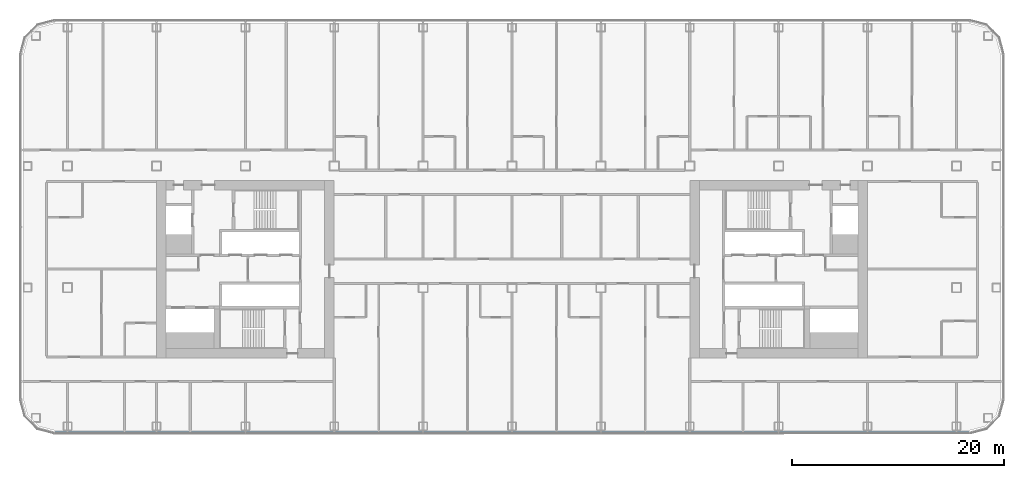
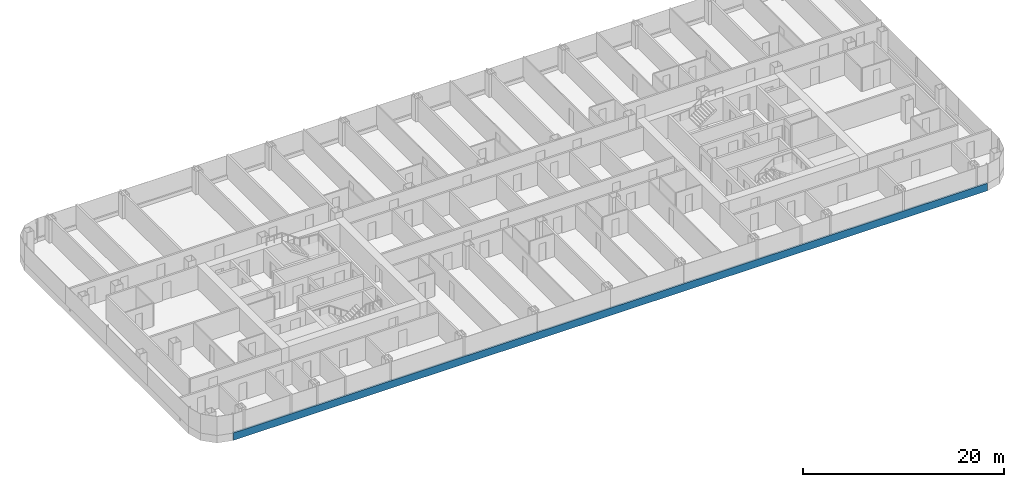
# One storey, part 5 of 29: 1 member, 1 element without a shape of its own.
"""IFC4 building model written with IfcOpenShell, lengths in metres."""

from ifc_helpers import new_model, si_unit, direction, frame, origin, origin_2d, place, context, subcontext, project, spatial, rectangle, extrude, material, layer, layer_set, material_profile, profile_set, type_object, element, aggregate, save


model = new_model("IFC4")

# Units and contexts
model_context = context("Model", 3, precision=1e-05, world=origin(), true_north=direction((0.0, 1.0)))
body_context = subcontext(model_context, "Body", "Model", "MODEL_VIEW")
ifc_project = project(units=[si_unit("LENGTHUNIT", "METRE"), si_unit("AREAUNIT", "SQUARE_METRE"), si_unit("VOLUMEUNIT", "CUBIC_METRE"), si_unit("PLANEANGLEUNIT", "RADIAN"), si_unit("MASSUNIT", "GRAM", prefix="KILO")], contexts=[model_context])

# Site, building, storey
site_placement = place(None, origin())
site = spatial("IfcSite", under=ifc_project, at=site_placement, CompositionType="ELEMENT")
building_placement = place(site_placement, origin())
building = spatial("IfcBuilding", under=site, at=building_placement, Name="Hakoniwa Tower and Hamabe Station Hall", CompositionType="ELEMENT")
storey_placement = place(building_placement, frame((0.0, 0.0, 104.199951171875)))
storey = spatial("IfcBuildingStorey", under=building, at=storey_placement, Name="L29", CompositionType="ELEMENT", Elevation=104.199951171875)

# Curtain wall, member
ifc_material_1 = material(Name="Dark low-e laminated glass", Category="glass")
ifc_layer = layer(ifc_material_1, 0.199951171875)
ifc_layer_set = layer_set([ifc_layer], Name="CW-1 UNITISED GUEST")
curtain_wall_type = type_object("IfcCurtainWallType", Name="CW-1 UNITISED GUEST", PredefinedType="NOTDEFINED", material=ifc_layer_set)
curtain_wall_placement = place(storey_placement, origin())
curtain_wall = element("IfcCurtainWall", 1, at=curtain_wall_placement, inside=storey, type_object=curtain_wall_type, Name="CW-1 curtain wall", PredefinedType="NOTDEFINED")
ifc_material_2 = material(Name="Aluminium 6063-T5 black anodised", Category="aluminium")
ifc_material_profile = material_profile(ifc_material_2, rectangle(XDim=0.199951171875, YDim=0.89990234375, at=origin_2d()), Name="CW SLAB-EDGE BAND 900X200")
ifc_profile_set = profile_set([ifc_material_profile], Name="Aluminium 6063-T5 black anodised")
member_type = type_object("IfcMemberType", Name="CW SLAB-EDGE BAND 900X200", PredefinedType="USERDEFINED", material=ifc_profile_set)
member_placement = place(storey_placement, frame((-43.239501953125, -15.449951171875, -0.099853515625), z_axis=(1.0, 0.0, 0.0), x_axis=(0.0, 1.0, 0.0)))
member = element("IfcMember", 2, at=member_placement, type_object=member_type, Name="CW-1 transom", ObjectType="TRANSOM", PredefinedType="USERDEFINED", context=body_context, shape_type="SweptSolid", body=[
    extrude(rectangle(XDim=0.199951171875, YDim=0.89990234375, at=origin_2d()), origin(), (0.0, 0.0, 1.0), 86.47900390625),
])
aggregate(curtain_wall, [member])

save(model, "model.ifc")
